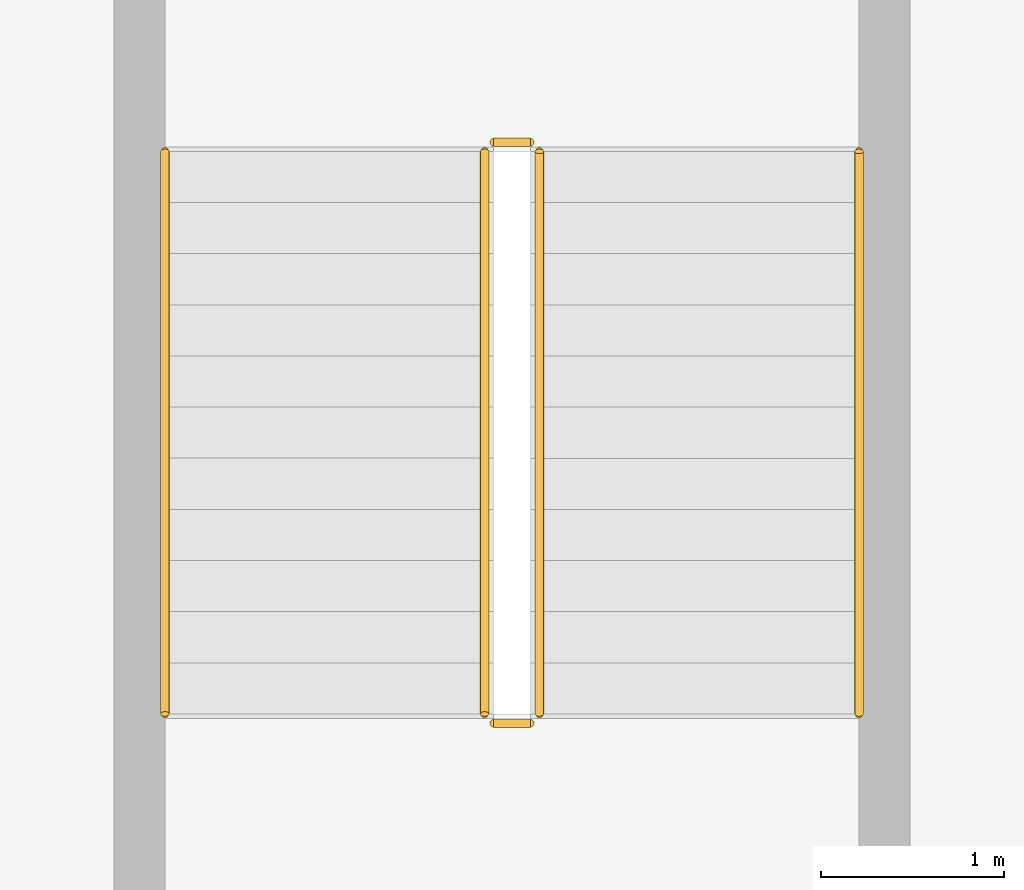
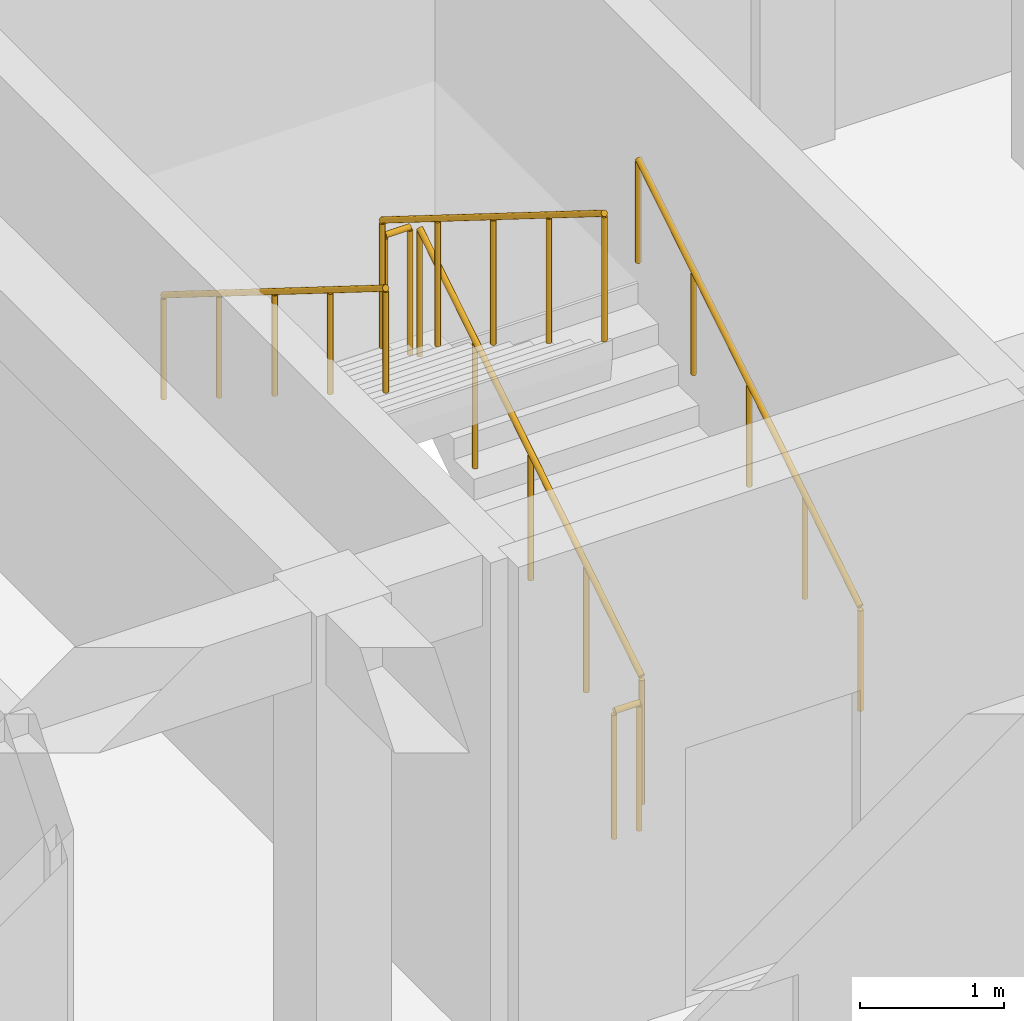
# One storey, part 33 of 42: 6 railings.
"""IFC4 building model written with IfcOpenShell, lengths in metres."""

from ifc_helpers import new_model, si_unit, direction, frame, origin, origin_2d, place, context, subcontext, project, spatial, circle, extrude, material, type_object, element, save


model = new_model("IFC4")

# Units and contexts
model_context = context("Model", 3, precision=1e-05, world=origin(), true_north=direction((0.0, 1.0)))
body_context = subcontext(model_context, "Body", "Model", "MODEL_VIEW")
ifc_project = project(units=[si_unit("LENGTHUNIT", "METRE"), si_unit("AREAUNIT", "SQUARE_METRE"), si_unit("VOLUMEUNIT", "CUBIC_METRE"), si_unit("PLANEANGLEUNIT", "RADIAN"), si_unit("MASSUNIT", "GRAM", prefix="KILO")], contexts=[model_context])

# Site, building, storey
site_placement = place(None, origin())
site = spatial("IfcSite", under=ifc_project, at=site_placement, CompositionType="ELEMENT")
building_placement = place(site_placement, origin())
building = spatial("IfcBuilding", under=site, at=building_placement, Name="Varncliffe General Hospital", CompositionType="ELEMENT")
storey_placement = place(building_placement, frame((0.0, 0.0, 20.39990234375)))
storey = spatial("IfcBuildingStorey", under=building, at=storey_placement, Name="L04", CompositionType="ELEMENT", Elevation=20.39990234375)

# Railings
ifc_material = material(Name="Powder-coated hospital steel guardrail and handrail", Category="steel")
railing_type_1 = type_object("IfcRailingType", Name="Stair and Ramp Handrail HR46", PredefinedType="HANDRAIL", material=ifc_material)
railing_1_placement = place(storey_placement, frame((13.550048828125, 118.0, 0.35400390625)))
element("IfcRailing", 1, at=railing_1_placement, inside=storey, type_object=railing_type_1, Name="L04 ST01 stair handrail 1", PredefinedType="HANDRAIL", context=body_context, shape_type="SweptSolid", body=[
    extrude(circle(Radius=0.02392578125, at=origin_2d()), frame((0.0, 0.0, 0.8759765625), z_axis=(0.0, 0.847998304005, 0.529998940003), x_axis=(-1.0, 0.0, 0.0)), (0.0, 0.0, 1.0), 3.632080078125),
    extrude(circle(Radius=0.02099609375, at=origin_2d()), origin(), (0.0, 0.0, 1.0), 0.851806640625),
    extrude(circle(Radius=0.02099609375, at=origin_2d()), frame((0.0, 0.77001953125, 0.481201171875)), (0.0, 0.0, 1.0), 0.851806640625),
    extrude(circle(Radius=0.02099609375, at=origin_2d()), frame((0.0, 1.5400390625, 0.96240234375)), (0.0, 0.0, 1.0), 0.851806640625),
    extrude(circle(Radius=0.02099609375, at=origin_2d()), frame((0.0, 2.31005859375, 1.44384765625)), (0.0, 0.0, 1.0), 0.851806640625),
    extrude(circle(Radius=0.02099609375, at=origin_2d()), frame((0.0, 3.080078125, 1.925048828125)), (0.0, 0.0, 1.0), 0.851806640625),
])
railing_2_placement = place(storey_placement, frame((9.75, 121.080078125, 2.4541015625)))
element("IfcRailing", 2, at=railing_2_placement, inside=storey, type_object=railing_type_1, Name="L04 ST01 stair handrail 2", PredefinedType="HANDRAIL", context=body_context, shape_type="SweptSolid", body=[
    extrude(circle(Radius=0.02392578125, at=origin_2d()), frame((0.0, 0.0, 0.8759765625), z_axis=(0.0, -0.847998304005, 0.529998940003), x_axis=(1.0, 0.0, 0.0)), (0.0, 0.0, 1.0), 3.632080078125),
    extrude(circle(Radius=0.02099609375, at=origin_2d()), origin(), (0.0, 0.0, 1.0), 0.851806640625),
    extrude(circle(Radius=0.02099609375, at=origin_2d()), frame((0.0, -0.77001953125, 0.481201171875)), (0.0, 0.0, 1.0), 0.851806640625),
    extrude(circle(Radius=0.02099609375, at=origin_2d()), frame((0.0, -1.5400390625, 0.96240234375)), (0.0, 0.0, 1.0), 0.851806640625),
    extrude(circle(Radius=0.02099609375, at=origin_2d()), frame((0.0, -2.31005859375, 1.44384765625)), (0.0, 0.0, 1.0), 0.851806640625),
    extrude(circle(Radius=0.02099609375, at=origin_2d()), frame((0.0, -3.080078125, 1.925048828125)), (0.0, 0.0, 1.0), 0.851806640625),
])
railing_type_2 = type_object("IfcRailingType", Name="Stairwell Guardrail SG49", PredefinedType="GUARDRAIL", material=ifc_material)
railing_3_placement = place(storey_placement, frame((11.800048828125, 118.0, 0.175048828125)))
element("IfcRailing", 3, at=railing_3_placement, inside=storey, type_object=railing_type_2, Name="L04 ST01 stair guard 1", PredefinedType="GUARDRAIL", context=body_context, shape_type="SweptSolid", body=[
    extrude(circle(Radius=0.02392578125, at=origin_2d()), frame((0.0, 0.0, 1.076171875), z_axis=(0.0, 0.847998304005, 0.529998940003), x_axis=(-1.0, 0.0, 0.0)), (0.0, 0.0, 1.0), 3.632080078125),
    extrude(circle(Radius=0.02099609375, at=origin_2d()), origin(), (0.0, 0.0, 1.0), 1.052001953125),
    extrude(circle(Radius=0.02099609375, at=origin_2d()), frame((0.0, 0.77001953125, 0.481201171875)), (0.0, 0.0, 1.0), 1.052001953125),
    extrude(circle(Radius=0.02099609375, at=origin_2d()), frame((0.0, 1.5400390625, 0.96240234375)), (0.0, 0.0, 1.0), 1.052001953125),
    extrude(circle(Radius=0.02099609375, at=origin_2d()), frame((0.0, 2.31005859375, 1.44384765625)), (0.0, 0.0, 1.0), 1.052001953125),
    extrude(circle(Radius=0.02099609375, at=origin_2d()), frame((0.0, 3.080078125, 1.925048828125)), (0.0, 0.0, 1.0), 1.052001953125),
])
railing_4_placement = place(storey_placement, frame((11.75, 121.1298828125, 2.10009765625)))
element("IfcRailing", 4, at=railing_4_placement, inside=storey, type_object=railing_type_2, Name="L04 ST01 stair guard 2", PredefinedType="GUARDRAIL", context=body_context, shape_type="SweptSolid", body=[
    extrude(circle(Radius=0.02392578125, at=origin_2d()), frame((0.0, 0.0, 1.076171875), z_axis=(-1.0, 0.0, 0.0), x_axis=(0.0, -1.0, 0.0)), (0.0, 0.0, 1.0), 0.199951171875),
    extrude(circle(Radius=0.02099609375, at=origin_2d()), origin(), (0.0, 0.0, 1.0), 1.052001953125),
    extrude(circle(Radius=0.02099609375, at=origin_2d()), frame((-0.199951171875, 0.0, 0.0)), (0.0, 0.0, 1.0), 1.052001953125),
])
railing_5_placement = place(storey_placement, frame((11.5, 121.080078125, 2.275146484375)))
element("IfcRailing", 5, at=railing_5_placement, inside=storey, type_object=railing_type_2, Name="L04 ST01 stair guard 3", PredefinedType="GUARDRAIL", context=body_context, shape_type="SweptSolid", body=[
    extrude(circle(Radius=0.02392578125, at=origin_2d()), frame((0.0, 0.0, 1.076171875), z_axis=(0.0, -0.847998304005, 0.529998940003), x_axis=(1.0, 0.0, 0.0)), (0.0, 0.0, 1.0), 3.632080078125),
    extrude(circle(Radius=0.02099609375, at=origin_2d()), origin(), (0.0, 0.0, 1.0), 1.052001953125),
    extrude(circle(Radius=0.02099609375, at=origin_2d()), frame((0.0, -0.77001953125, 0.481201171875)), (0.0, 0.0, 1.0), 1.052001953125),
    extrude(circle(Radius=0.02099609375, at=origin_2d()), frame((0.0, -1.5400390625, 0.96240234375)), (0.0, 0.0, 1.0), 1.052001953125),
    extrude(circle(Radius=0.02099609375, at=origin_2d()), frame((0.0, -2.31005859375, 1.44384765625)), (0.0, 0.0, 1.0), 1.052001953125),
    extrude(circle(Radius=0.02099609375, at=origin_2d()), frame((0.0, -3.080078125, 1.925048828125)), (0.0, 0.0, 1.0), 1.052001953125),
])
railing_6_placement = place(storey_placement, frame((11.75, 117.949951171875, 0.0)))
element("IfcRailing", 6, at=railing_6_placement, inside=storey, type_object=railing_type_2, Name="L04 ST01 stair guard 4", PredefinedType="GUARDRAIL", context=body_context, shape_type="SweptSolid", body=[
    extrude(circle(Radius=0.02392578125, at=origin_2d()), frame((0.0, 0.0, 1.076171875), z_axis=(-1.0, 0.0, 0.0), x_axis=(0.0, -1.0, 0.0)), (0.0, 0.0, 1.0), 0.199951171875),
    extrude(circle(Radius=0.02099609375, at=origin_2d()), origin(), (0.0, 0.0, 1.0), 1.052001953125),
    extrude(circle(Radius=0.02099609375, at=origin_2d()), frame((-0.199951171875, 0.0, 0.0)), (0.0, 0.0, 1.0), 1.052001953125),
])

save(model, "model.ifc")
